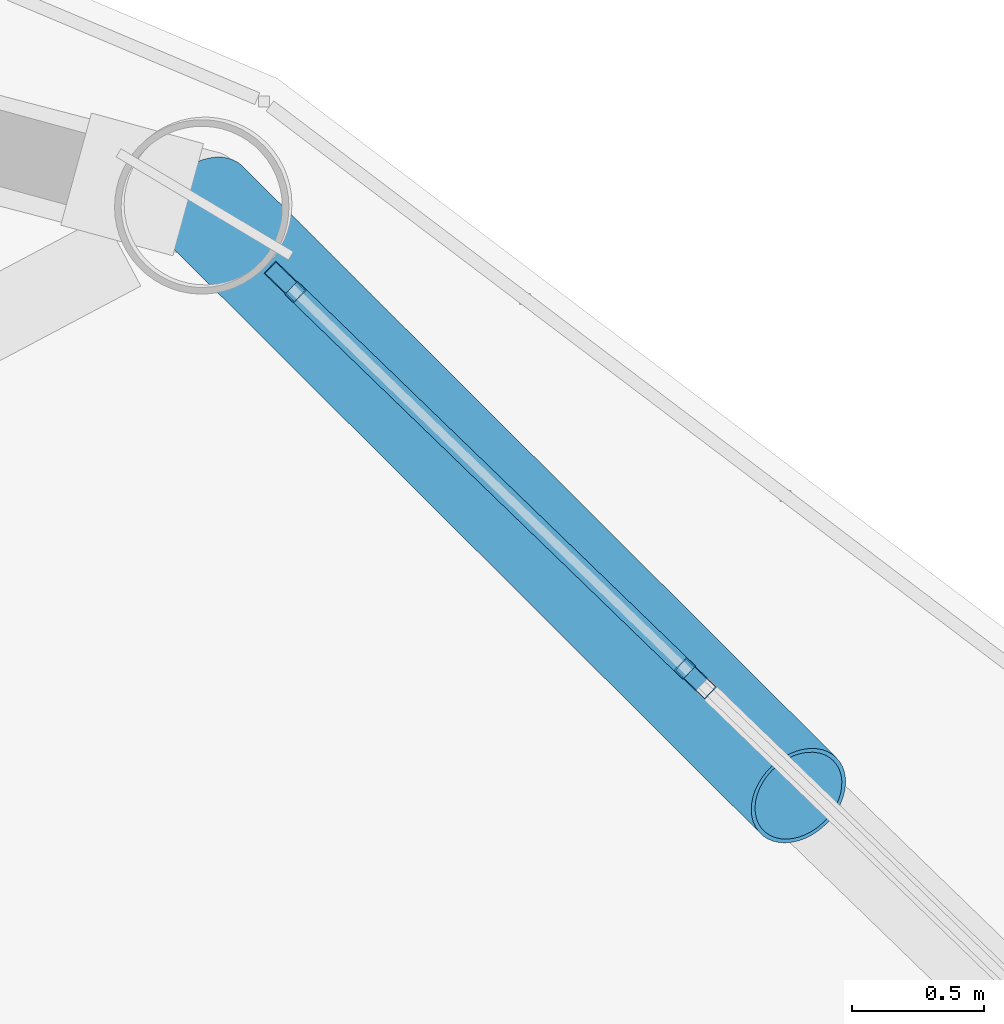
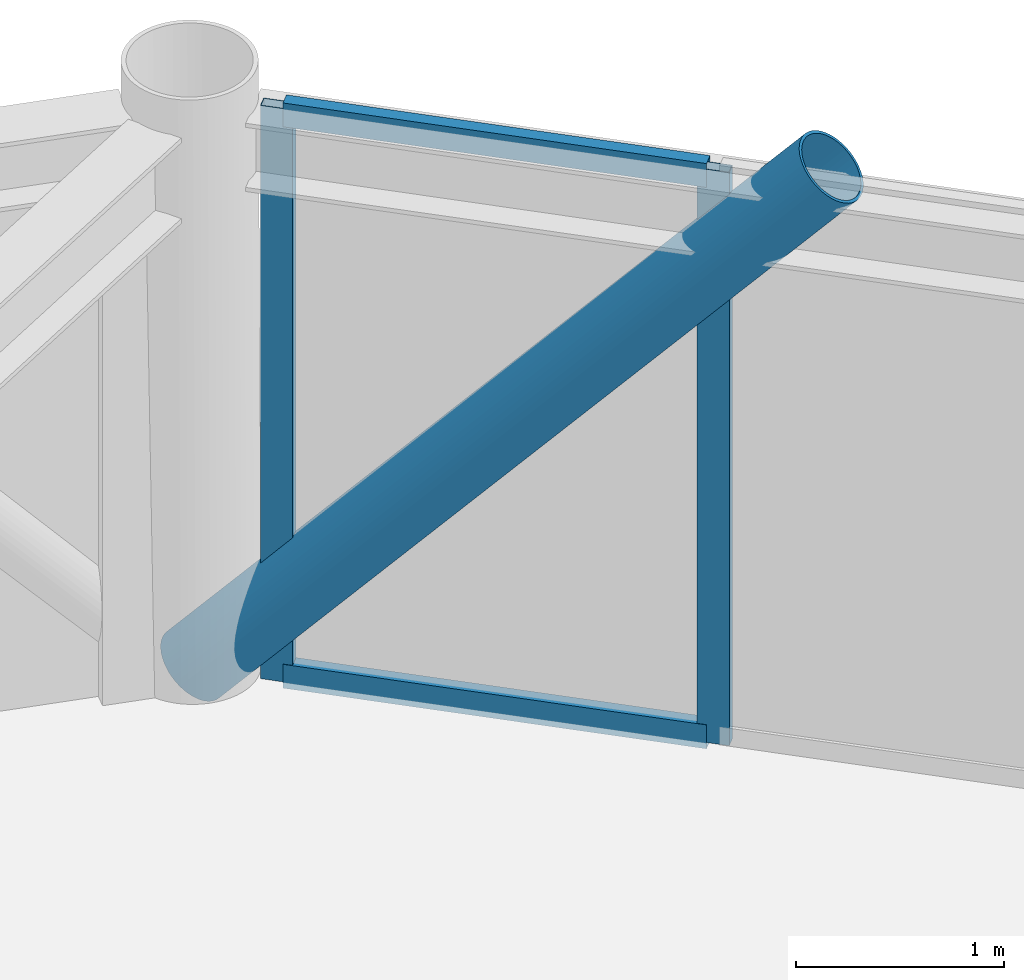
# One storey, part 21 of 28: 5 members, 1 element without a shape of its own.
"""IFC4 building model written with IfcOpenShell, lengths in metres."""

from ifc_helpers import new_model, si_unit, direction, frame, origin, origin_2d, place, context, subcontext, project, spatial, hollow_rectangle, hollow_circle, extrude, material, layer, layer_set, material_profile, profile_set, type_object, element, aggregate, save


model = new_model("IFC4")

# Units and contexts
model_context = context("Model", 3, precision=1e-05, world=origin(), true_north=direction((0.0, 1.0)))
body_context = subcontext(model_context, "Body", "Model", "MODEL_VIEW")
ifc_project = project(units=[si_unit("LENGTHUNIT", "METRE"), si_unit("AREAUNIT", "SQUARE_METRE"), si_unit("VOLUMEUNIT", "CUBIC_METRE"), si_unit("PLANEANGLEUNIT", "RADIAN"), si_unit("MASSUNIT", "GRAM", prefix="KILO")], contexts=[model_context])

# Site, building, storey
site_placement = place(None, origin())
site = spatial("IfcSite", under=ifc_project, at=site_placement, CompositionType="ELEMENT")
building_placement = place(site_placement, origin())
building = spatial("IfcBuilding", under=site, at=building_placement, Name="Varnakorn Sky Granary", CompositionType="ELEMENT")
storey_placement = place(building_placement, frame((0.0, 0.0, 225.60009765625)))
storey = spatial("IfcBuildingStorey", under=building, at=storey_placement, Name="L57", CompositionType="ELEMENT", Elevation=225.60009765625)

# Curtain wall, members
ifc_material_1 = material(Name="Anodised Bronze Aluminium Alloy 6063-T6", Category="aluminium")
ifc_layer = layer(ifc_material_1, 0.169921875, Name="Anodised Bronze Aluminium Alloy 6063-T6")
ifc_layer_set = layer_set([ifc_layer], Name="Anodised Bronze Aluminium Alloy 6063-T6")
curtain_wall_type = type_object("IfcCurtainWallType", Name="CW-LAB-1", PredefinedType="USERDEFINED", material=ifc_layer_set)
curtain_wall_placement = place(storey_placement, origin())
curtain_wall = element("IfcCurtainWall", 1, at=curtain_wall_placement, inside=storey, type_object=curtain_wall_type, Name="Unitised Curtain Wall CW5 CW-L57-B02", ObjectType="CURTAIN WALL", PredefinedType="USERDEFINED")
ifc_material_profile_1 = material_profile(ifc_material_1, hollow_rectangle(XDim=0.06494140625, YDim=0.159912109375, WallThickness=0.00341796875, at=origin_2d()), Name="ALU MULL 65x160")
ifc_profile_set_1 = profile_set([ifc_material_profile_1], Name="Anodised Bronze Aluminium Alloy 6063-T6")
member_type_1 = type_object("IfcMemberType", Name="CW-LAB-1-MULL", PredefinedType="MULLION", material=ifc_profile_set_1)
member_1_placement = place(storey_placement, frame((14.537353515625, 15.4169921875, 0.0), z_axis=(0.0, 0.0, 1.0), x_axis=(0.695009134591, 0.719000906004, 0.0)))
member_1 = element("IfcMember", 2, at=member_1_placement, type_object=member_type_1, Name="CW5 mullion 1", PredefinedType="MULLION", context=body_context, shape_type="SweptSolid", body=[
    extrude(hollow_rectangle(XDim=0.06494140625, YDim=0.159912109375, WallThickness=0.00341796875, at=origin_2d()), origin(), (0.0, 0.0, 1.0), 3.35986328125),
])
member_2_placement = place(storey_placement, frame((16.091064453125, 13.9150390625, 0.0), z_axis=(0.0, 0.0, 1.0), x_axis=(0.695009134591, 0.719000906004, 0.0)))
member_2 = element("IfcMember", 3, at=member_2_placement, type_object=member_type_1, Name="CW5 mullion 2", PredefinedType="MULLION", context=body_context, shape_type="SweptSolid", body=[
    extrude(hollow_rectangle(XDim=0.06494140625, YDim=0.159912109375, WallThickness=0.00341796875, at=origin_2d()), origin(), (0.0, 0.0, 1.0), 3.35986328125),
])
ifc_material_profile_2 = material_profile(ifc_material_1, hollow_rectangle(XDim=0.070068359375, YDim=0.139892578125, WallThickness=0.00341796875, at=origin_2d()), Name="ALU TRAN 70x140")
ifc_profile_set_2 = profile_set([ifc_material_profile_2], Name="Anodised Bronze Aluminium Alloy 6063-T6")
member_type_2 = type_object("IfcMemberType", Name="CW-LAB-1-TRAN", PredefinedType="USERDEFINED", material=ifc_profile_set_2)
member_3_placement = place(storey_placement, frame((14.560546875, 15.394287109375, 0.034912109375), z_axis=(0.71900195689, -0.695008047427, 0.0), x_axis=(0.695008047427, 0.71900195689, 0.0)))
member_3 = element("IfcMember", 4, at=member_3_placement, type_object=member_type_2, Name="CW5 transom 1.1", ObjectType="TRANSOM", PredefinedType="USERDEFINED", context=body_context, shape_type="SweptSolid", body=[
    extrude(hollow_rectangle(XDim=0.070068359375, YDim=0.139892578125, WallThickness=0.00341796875, at=origin_2d()), origin(), (0.0, 0.0, 1.0), 2.09619140625),
])
member_4_placement = place(storey_placement, frame((14.560546875, 15.394287109375, 3.324951171875), z_axis=(0.71900195689, -0.695008047427, 0.0), x_axis=(0.695008047427, 0.71900195689, 0.0)))
member_4 = element("IfcMember", 5, at=member_4_placement, type_object=member_type_2, Name="CW5 transom 1.2", ObjectType="TRANSOM", PredefinedType="USERDEFINED", context=body_context, shape_type="SweptSolid", body=[
    extrude(hollow_rectangle(XDim=0.070068359375, YDim=0.139892578125, WallThickness=0.00341796875, at=origin_2d()), origin(), (0.0, 0.0, 1.0), 2.09619140625),
])
aggregate(curtain_wall, [member_1, member_2, member_3, member_4])

# Member
ifc_material_2 = material(Name="Steel S460M", Category="steel")
ifc_material_profile_3 = material_profile(ifc_material_2, hollow_circle(Radius=0.203125, WallThickness=0.01611328125, at=origin_2d()), Name="CHS 406.4x16")
ifc_profile_set_3 = profile_set([ifc_material_profile_3], Name="Steel S460M")
member_type_3 = type_object("IfcMemberType", Name="MB-DIAG-T4", PredefinedType="BRACE", material=ifc_profile_set_3)
member_5_placement = place(storey_placement, frame((14.2333984375, 15.710693359375, 0.0), z_axis=(0.476549577722, -0.47468603386, 0.739982208726), x_axis=(0.705720150245, 0.708490698272, 0.0)))
element("IfcMember", 6, at=member_5_placement, inside=storey, type_object=member_type_3, Name="Perimeter CHS Diagrid Brace DG02 L57", PredefinedType="BRACE", context=body_context, shape_type="SweptSolid", body=[
    extrude(hollow_circle(Radius=0.203125, WallThickness=0.01611328125, at=origin_2d()), origin(), (0.0, 0.0, 1.0), 4.71630859375),
])

save(model, "model.ifc")
